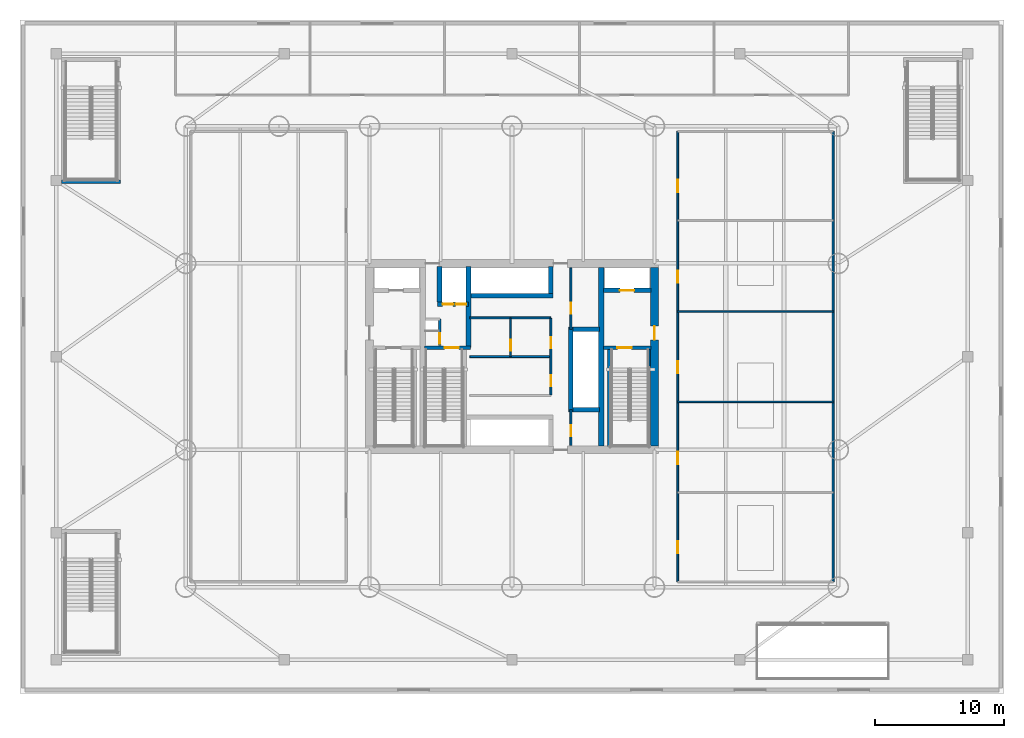
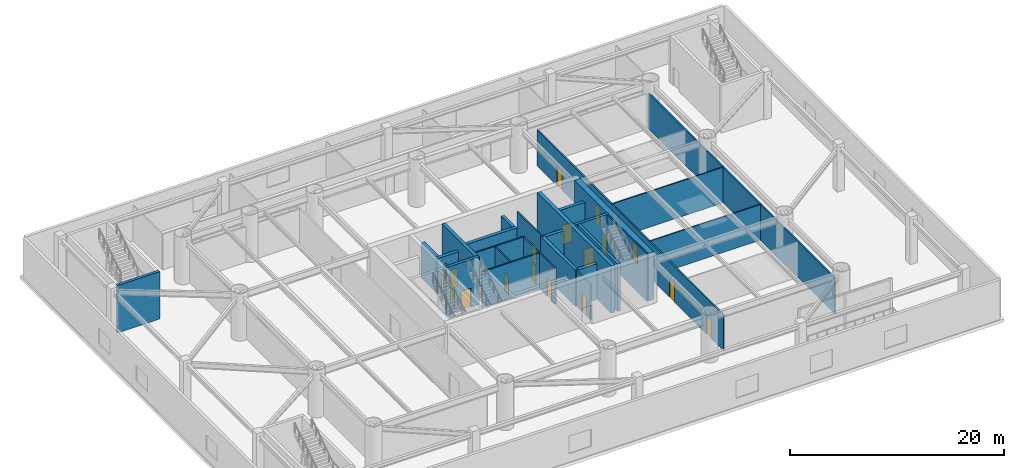
# One storey, part 7 of 16: 27 walls, 17 doors, 17 openings.
"""IFC4 building model written with IfcOpenShell, lengths in metres."""

from ifc_helpers import new_model, si_unit, direction, frame, frame_2d, origin, place, context, subcontext, project, spatial, rectangle, extrude, material, layer, layer_set, type_object, element, fill, save


model = new_model("IFC4")

# Units and contexts
model_context = context("Model", 3, precision=1e-05, world=origin(), true_north=direction((0.0, 1.0)))
body_context = subcontext(model_context, "Body", "Model", "MODEL_VIEW")
ifc_project = project(units=[si_unit("LENGTHUNIT", "METRE"), si_unit("AREAUNIT", "SQUARE_METRE"), si_unit("VOLUMEUNIT", "CUBIC_METRE"), si_unit("PLANEANGLEUNIT", "RADIAN"), si_unit("MASSUNIT", "GRAM", prefix="KILO")], contexts=[model_context])

# Site, building, storey
site_placement = place(None, origin())
site = spatial("IfcSite", under=ifc_project, at=site_placement, CompositionType="ELEMENT")
building_placement = place(site_placement, origin())
building = spatial("IfcBuilding", under=site, at=building_placement, Name="Bramvorn Convention Spire", CompositionType="ELEMENT")
storey_placement = place(building_placement, frame((0.0, 0.0, 30.0)))
storey = spatial("IfcBuildingStorey", under=building, at=storey_placement, Name="L05", CompositionType="ELEMENT", Elevation=30.0)

# Wall, opening, door
ifc_material_1 = material(Name="Concrete C60/70", Category="concrete")
ifc_layer_1 = layer(ifc_material_1, 0.60009765625)
ifc_layer_set_1 = layer_set([ifc_layer_1], Name="Concrete C60/70 - WL-CORE-600")
wall_type_1 = type_object("IfcWallType", Name="WL-CORE-600", PredefinedType="SHEAR", material=ifc_layer_set_1)
wall_1_placement = place(storey_placement, frame((49.0, 19.10009765625, 0.0), z_axis=(0.0, 0.0, 1.0), x_axis=(0.0, 1.0, 0.0)))
wall_1 = element("IfcWall", 1, at=wall_1_placement, inside=storey, type_object=wall_type_1, Name="L05 East RC core shear wall", PredefinedType="SHEAR", context=body_context, shape_type="SweptSolid", body=[
    extrude(rectangle(XDim=13.7998046875, YDim=0.60009765625, at=frame_2d((6.89990234375, 0.0))), origin(), (0.0, 0.0, 1.0), 5.39990234375),
])
opening_1_placement = place(wall_1_placement, frame((8.199951171875, 0.0, 0.0)))
opening_1 = element("IfcOpeningElement", 2, at=opening_1_placement, cuts=wall_1, Name="Opening DL-105", PredefinedType="OPENING", context=body_context, shape_type="SweptSolid", body=[
    extrude(rectangle(XDim=1.050048828125, YDim=2.14990234375, at=frame_2d((0.52490234375, 1.074951171875))), frame((0.0, 0.31005859375, 0.0), z_axis=(0.0, -1.0, 0.0), x_axis=(1.0, 0.0, 0.0)), (0.0, 0.0, 1.0), 0.6201171875),
])
ifc_material_2 = material(Name="Smoke-Sealed Fire Lobby Timber-Core Door", Category="wood")
door_type_1 = type_object("IfcDoorType", Name="DR-LOBBY-1050", OperationType="NOTDEFINED", PredefinedType="DOOR", material=ifc_material_2)
door_1_placement = place(opening_1_placement, origin())
door_1 = element("IfcDoor", 3, at=door_1_placement, inside=storey, type_object=door_type_1, Name="L05 East Firefighting Lobby corridor door", OperationType="SINGLE_SWING_LEFT", OverallHeight=2.14990234375, OverallWidth=1.050048828125, PredefinedType="DOOR", context=body_context, shape_type="SweptSolid", body=[
    extrude(rectangle(XDim=1.050048828125, YDim=2.14990234375, at=frame_2d((0.52490234375, 1.074951171875))), frame((0.0, 0.02490234375, 0.0), z_axis=(0.0, -1.0, 0.0), x_axis=(1.0, 0.0, 0.0)), (0.0, 0.0, 1.0), 0.050048828125),
])
fill(opening_1, door_1)

ifc_material_3 = material(Name="Concrete C50/60", Category="concrete")
ifc_layer_2 = layer(ifc_material_3, 0.35009765625)
ifc_layer_set_2 = layer_set([ifc_layer_2], Name="Concrete C50/60 - WL-CORE-INT-350")
wall_type_2 = type_object("IfcWallType", Name="WL-CORE-INT-350", PredefinedType="SHEAR", material=ifc_layer_set_2)
wall_2_placement = place(storey_placement, frame((45.080078125, 31.1201171875, 0.0), z_axis=(0.0, 0.0, 1.0), x_axis=(1.0, 0.0, 0.0)))
wall_2 = element("IfcWall", 4, at=wall_2_placement, inside=storey, type_object=wall_type_2, Name="L05 FE2 shaft front wall", PredefinedType="SHEAR", context=body_context, shape_type="SweptSolid", body=[
    extrude(rectangle(XDim=3.669921875, YDim=0.35009765625, at=frame_2d((1.8349609375, 0.0))), origin(), (0.0, 0.0, 1.0), 4.06005859375),
])
opening_2_placement = place(wall_2_placement, frame((1.25, 0.0, 0.0)))
opening_2 = element("IfcOpeningElement", 5, at=opening_2_placement, cuts=wall_2, Name="Opening LD-110", PredefinedType="OPENING", context=body_context, shape_type="SweptSolid", body=[
    extrude(rectangle(XDim=1.10009765625, YDim=2.14990234375, at=frame_2d((0.550048828125, 1.074951171875))), frame((0.0, 0.18505859375, 0.0), z_axis=(0.0, -1.0, 0.0), x_axis=(1.0, 0.0, 0.0)), (0.0, 0.0, 1.0), 0.3701171875),
])
ifc_material_4 = material(Name="Firefighting & Service Lift Sliding Landing Door", Category="steel")
door_type_2 = type_object("IfcDoorType", Name="DR-LIFT-LD-1100", OperationType="NOTDEFINED", PredefinedType="DOOR", material=ifc_material_4)
door_2_placement = place(opening_2_placement, origin())
door_2 = element("IfcDoor", 6, at=door_2_placement, inside=storey, type_object=door_type_2, Name="L05 Lift FE2 Sliding Landing Door", OperationType="SLIDING_TO_LEFT", OverallHeight=2.14990234375, OverallWidth=1.10009765625, PredefinedType="DOOR", context=body_context, shape_type="SweptSolid", body=[
    extrude(rectangle(XDim=1.10009765625, YDim=2.14990234375, at=frame_2d((0.550048828125, 1.074951171875))), frame((0.0, 0.02490234375, 0.0), z_axis=(0.0, -1.0, 0.0), x_axis=(1.0, 0.0, 0.0)), (0.0, 0.0, 1.0), 0.050048828125),
])
fill(opening_2, door_2)

# Wall
wall_3_placement = place(storey_placement, frame((34.639892578125, 26.68994140625, 0.0), z_axis=(0.0, 0.0, 1.0), x_axis=(0.0, 1.0, 0.0)))
element("IfcWall", 7, at=wall_3_placement, inside=storey, type_object=wall_type_2, Name="L05 SV east core shaft wall", PredefinedType="SHEAR", context=body_context, shape_type="SweptSolid", body=[
    extrude(rectangle(XDim=6.260009765625, YDim=0.35009765625, at=frame_2d((3.1298828125, 0.0))), origin(), (0.0, 0.0, 1.0), 5.39990234375),
])

# Wall, openings, doors
wall_4_placement = place(storey_placement, frame((32.22998046875, 30.050048828125, 0.0), z_axis=(0.0, 0.0, 1.0), x_axis=(1.0, 0.0, 0.0)))
wall_4 = element("IfcWall", 8, at=wall_4_placement, inside=storey, type_object=wall_type_2, Name="L05 SV1/SV2 shaft front wall", PredefinedType="SHEAR", context=body_context, shape_type="SweptSolid", body=[
    extrude(rectangle(XDim=2.409912109375, YDim=0.35009765625, at=frame_2d((1.205078125, 0.0))), origin(), (0.0, 0.0, 1.0), 4.06005859375),
])
opening_3_placement = place(wall_4_placement, frame((0.419921875, 0.0, 0.0)))
opening_3 = element("IfcOpeningElement", 9, at=opening_3_placement, cuts=wall_4, Name="Opening LD-080", PredefinedType="OPENING", context=body_context, shape_type="SweptSolid", body=[
    extrude(rectangle(XDim=0.800048828125, YDim=2.14990234375, at=frame_2d((0.39990234375, 1.074951171875))), frame((0.0, 0.18505859375, 0.0), z_axis=(0.0, -1.0, 0.0), x_axis=(1.0, 0.0, 0.0)), (0.0, 0.0, 1.0), 0.3701171875),
])
opening_4_placement = place(wall_4_placement, frame((1.419921875, 0.0, 0.0)))
opening_4 = element("IfcOpeningElement", 10, at=opening_4_placement, cuts=wall_4, Name="Opening LD-080", PredefinedType="OPENING", context=body_context, shape_type="SweptSolid", body=[
    extrude(rectangle(XDim=0.800048828125, YDim=2.14990234375, at=frame_2d((0.39990234375, 1.074951171875))), frame((0.0, 0.18505859375, 0.0), z_axis=(0.0, -1.0, 0.0), x_axis=(1.0, 0.0, 0.0)), (0.0, 0.0, 1.0), 0.3701171875),
])
ifc_material_5 = material(Name="Service Lift Bi-Parting Landing Door", Category="steel")
door_type_3 = type_object("IfcDoorType", Name="DR-LIFT-LD-800", OperationType="NOTDEFINED", PredefinedType="DOOR", material=ifc_material_5)
door_3_placement = place(opening_3_placement, origin())
door_3 = element("IfcDoor", 11, at=door_3_placement, inside=storey, type_object=door_type_3, Name="L05 Lift SV1 Sliding Landing Door", OperationType="SLIDING_TO_LEFT", OverallHeight=2.14990234375, OverallWidth=0.800048828125, PredefinedType="DOOR", context=body_context, shape_type="SweptSolid", body=[
    extrude(rectangle(XDim=0.800048828125, YDim=2.14990234375, at=frame_2d((0.39990234375, 1.074951171875))), frame((0.0, 0.02490234375, 0.0), z_axis=(0.0, -1.0, 0.0), x_axis=(1.0, 0.0, 0.0)), (0.0, 0.0, 1.0), 0.050048828125),
])
fill(opening_3, door_3)
door_4_placement = place(opening_4_placement, origin())
door_4 = element("IfcDoor", 12, at=door_4_placement, inside=storey, type_object=door_type_3, Name="L05 Lift SV2 Sliding Landing Door", OperationType="SLIDING_TO_LEFT", OverallHeight=2.14990234375, OverallWidth=0.800048828125, PredefinedType="DOOR", context=body_context, shape_type="SweptSolid", body=[
    extrude(rectangle(XDim=0.800048828125, YDim=2.14990234375, at=frame_2d((0.39990234375, 1.074951171875))), frame((0.0, 0.02490234375, 0.0), z_axis=(0.0, -1.0, 0.0), x_axis=(1.0, 0.0, 0.0)), (0.0, 0.0, 1.0), 0.050048828125),
])
fill(opening_4, door_4)

# Walls
wall_5_placement = place(storey_placement, frame((32.39990234375, 30.219970703125, 0.0), z_axis=(0.0, 0.0, 1.0), x_axis=(0.0, 1.0, 0.0)))
element("IfcWall", 13, at=wall_5_placement, inside=storey, type_object=wall_type_2, Name="L05 SV1 west hoistway wall", PredefinedType="SHEAR", context=body_context, shape_type="SweptSolid", body=[
    extrude(rectangle(XDim=2.72998046875, YDim=0.35009765625, at=frame_2d((1.364990234375, 0.0))), origin(), (0.0, 0.0, 1.0), 4.06005859375),
])
wall_6_placement = place(storey_placement, frame((42.550048828125, 21.72998046875, 0.0), z_axis=(0.0, 0.0, 1.0), x_axis=(0.0, 1.0, 0.0)))
element("IfcWall", 14, at=wall_6_placement, inside=storey, type_object=wall_type_2, Name="L05 High-rise lift bank west wall", PredefinedType="SHEAR", context=body_context, shape_type="SweptSolid", body=[
    extrude(rectangle(XDim=6.5400390625, YDim=0.35009765625, at=frame_2d((3.27001953125, 0.0))), origin(), (0.0, 0.0, 1.0), 4.06005859375),
])
for number, where, z_axis, x_axis, name in (
    (15, (42.719970703125, 21.89990234375, 0.0), (0.0, 0.0, 1.0), (1.0, 0.0, 0.0), "L05 High-rise lift bank south wall"),
    (16, (42.719970703125, 28.10009765625, 0.0), (0.0, 0.0, 1.0), (1.0, 0.0, 0.0), "L05 High-rise lift bank north wall"),
):
    element("IfcWall", number, at=place(storey_placement, frame(where, z_axis=z_axis, x_axis=x_axis)), inside=storey, type_object=wall_type_2, Name=name, PredefinedType="SHEAR", context=body_context, shape_type="SweptSolid", body=[
        extrude(rectangle(XDim=2.030029296875, YDim=0.35009765625, at=frame_2d((1.01513671875, 0.0))), origin(), (0.0, 0.0, 1.0), 4.06005859375),
    ])
wall_7_placement = place(storey_placement, frame((34.81005859375, 30.699951171875, 0.0), z_axis=(0.0, 0.0, 1.0), x_axis=(1.0, 0.0, 0.0)))
element("IfcWall", 17, at=wall_7_placement, inside=storey, type_object=wall_type_2, Name="L05 Low-rise bank south landing wall", PredefinedType="SHEAR", context=body_context, shape_type="SweptSolid", body=[
    extrude(rectangle(XDim=6.35986328125, YDim=0.35009765625, at=frame_2d((3.179931640625, 0.0))), origin(), (0.0, 0.0, 1.0), 4.06005859375),
])
wall_8_placement = place(storey_placement, frame((41.0, 30.8701171875, 0.0), z_axis=(0.0, 0.0, 1.0), x_axis=(0.0, 1.0, 0.0)))
element("IfcWall", 18, at=wall_8_placement, inside=storey, type_object=wall_type_2, Name="L05 Low-rise bank east cheek wall", PredefinedType="SHEAR", context=body_context, shape_type="SweptSolid", body=[
    extrude(rectangle(XDim=2.079833984375, YDim=0.35009765625, at=frame_2d((1.0400390625, 0.0))), origin(), (0.0, 0.0, 1.0), 4.06005859375),
])
ifc_layer_3 = layer(ifc_material_1, 0.39990234375)
ifc_layer_set_3 = layer_set([ifc_layer_3], Name="Concrete C60/70 - WL-CORE-INT-400")
wall_type_3 = type_object("IfcWallType", Name="WL-CORE-INT-400", PredefinedType="SHEAR", material=ifc_layer_set_3)
wall_9_placement = place(storey_placement, frame((44.89990234375, 19.10009765625, 0.0), z_axis=(0.0, 0.0, 1.0), x_axis=(0.0, 1.0, 0.0)))
element("IfcWall", 19, at=wall_9_placement, inside=storey, type_object=wall_type_3, Name="L05 East internal core shear web", PredefinedType="SHEAR", context=body_context, shape_type="SweptSolid", body=[
    extrude(rectangle(XDim=13.7998046875, YDim=0.39990234375, at=frame_2d((6.89990234375, 0.0))), origin(), (0.0, 0.0, 1.0), 5.39990234375),
])

# Wall, opening, door
ifc_material_6 = material(Name="Lightweight En-Suite & Wet-Wall Partition", Category="gypsum")
ifc_layer_4 = layer(ifc_material_6, 0.110107421875)
ifc_layer_set_4 = layer_set([ifc_layer_4], Name="Lightweight En-Suite & Wet-Wall Partition - WL-PART-110")
wall_type_4 = type_object("IfcWallType", Name="WL-PART-110", PredefinedType="PARTITIONING", material=ifc_layer_set_4)
wall_10_placement = place(storey_placement, frame((37.89990234375, 26.0, 0.0), z_axis=(0.0, 0.0, 1.0), x_axis=(0.0, 1.0, 0.0)))
wall_10 = element("IfcWall", 20, at=wall_10_placement, inside=storey, type_object=wall_type_4, Name="L05 Core restroom subwall", PredefinedType="PARTITIONING", context=body_context, shape_type="SweptSolid", body=[
    extrude(rectangle(XDim=2.949951171875, YDim=0.110107421875, at=frame_2d((1.47509765625, 0.0))), origin(), (0.0, 0.0, 1.0), 4.06005859375),
])
opening_5_placement = place(wall_10_placement, frame((0.449951171875, 0.0, 0.0)))
opening_5 = element("IfcOpeningElement", 21, at=opening_5_placement, cuts=wall_10, Name="Opening DC-085", PredefinedType="OPENING", context=body_context, shape_type="SweptSolid", body=[
    extrude(rectangle(XDim=0.85009765625, YDim=2.10009765625, at=frame_2d((0.425048828125, 1.050048828125))), frame((0.0, 0.06494140625, 0.0), z_axis=(0.0, -1.0, 0.0), x_axis=(1.0, 0.0, 0.0)), (0.0, 0.0, 1.0), 0.130126953125),
])
ifc_material_7 = material(Name="Fire-Rated Core Washroom & IDF Door", Category="wood")
door_type_4 = type_object("IfcDoorType", Name="DR-CORE-850", OperationType="NOTDEFINED", PredefinedType="DOOR", material=ifc_material_7)
door_5_placement = place(opening_5_placement, origin())
door_5 = element("IfcDoor", 22, at=door_5_placement, inside=storey, type_object=door_type_4, Name="L05 Core telecom store door", OperationType="SINGLE_SWING_LEFT", OverallHeight=2.10009765625, OverallWidth=0.85009765625, PredefinedType="DOOR", context=body_context, shape_type="SweptSolid", body=[
    extrude(rectangle(XDim=0.85009765625, YDim=2.10009765625, at=frame_2d((0.425048828125, 1.050048828125))), frame((0.0, 0.02490234375, 0.0), z_axis=(0.0, -1.0, 0.0), x_axis=(1.0, 0.0, 0.0)), (0.0, 0.0, 1.0), 0.050048828125),
])
fill(opening_5, door_5)

# Walls
for number, where, z_axis, x_axis, name in (
    (23, (50.800048828125, 22.5, 0.0), (0.0, 0.0, 1.0), (1.0, 0.0, 0.0), "L05 Seminar divider 2"),
    (24, (50.800048828125, 29.5, 0.0), (0.0, 0.0, 1.0), (1.0, 0.0, 0.0), "L05 Seminar divider 3"),
):
    element("IfcWall", number, at=place(storey_placement, frame(where, z_axis=z_axis, x_axis=x_axis)), inside=storey, type_object=wall_type_4, Name=name, PredefinedType="PARTITIONING", context=body_context, shape_type="SweptSolid", body=[
        extrude(rectangle(XDim=12.0, YDim=0.110107421875, at=frame_2d((6.0, 0.0))), origin(), (0.0, 0.0, 1.0), 4.06005859375),
    ])
ifc_material_8 = material(Name="Acoustic Metal-Stud Tenant/Corridor Partition", Category="gypsum")
ifc_layer_5 = layer(ifc_material_8, 0.14990234375)
ifc_layer_set_5 = layer_set([ifc_layer_5], Name="Acoustic Metal-Stud Tenant/Corridor Partition - WL-PART-150")
wall_type_5 = type_object("IfcWallType", Name="WL-PART-150", PredefinedType="PARTITIONING", material=ifc_layer_set_5)
wall_11_placement = place(storey_placement, frame((34.75, 29.0, 0.0), z_axis=(0.0, 0.0, 1.0), x_axis=(1.0, 0.0, 0.0)))
element("IfcWall", 25, at=wall_11_placement, inside=storey, type_object=wall_type_5, Name="L05 Low-rise lift vestibule south wall", PredefinedType="PARTITIONING", context=body_context, shape_type="SweptSolid", body=[
    extrude(rectangle(XDim=6.25, YDim=0.14990234375, at=frame_2d((3.125, 0.0))), origin(), (0.0, 0.0, 1.0), 4.06005859375),
])

# Wall, openings, doors
wall_12_placement = place(storey_placement, frame((41.0, 23.050048828125, 0.0), z_axis=(0.0, 0.0, 1.0), x_axis=(0.0, 1.0, 0.0)))
wall_12 = element("IfcWall", 26, at=wall_12_placement, inside=storey, type_object=wall_type_5, Name="L05 Core room east wall", PredefinedType="PARTITIONING", context=body_context, shape_type="SweptSolid", body=[
    extrude(rectangle(XDim=5.89990234375, YDim=0.14990234375, at=frame_2d((2.949951171875, 0.0))), origin(), (0.0, 0.0, 1.0), 4.06005859375),
])
opening_6_placement = place(wall_12_placement, frame((0.64990234375, 0.0, 0.0)))
opening_6 = element("IfcOpeningElement", 27, at=opening_6_placement, cuts=wall_12, Name="Opening DC-085", PredefinedType="OPENING", context=body_context, shape_type="SweptSolid", body=[
    extrude(rectangle(XDim=0.85009765625, YDim=2.10009765625, at=frame_2d((0.425048828125, 1.050048828125))), frame((0.0, 0.0849609375, 0.0), z_axis=(0.0, -1.0, 0.0), x_axis=(1.0, 0.0, 0.0)), (0.0, 0.0, 1.0), 0.169921875),
])
opening_7_placement = place(wall_12_placement, frame((3.60009765625, 0.0, 0.0)))
opening_7 = element("IfcOpeningElement", 28, at=opening_7_placement, cuts=wall_12, Name="Opening DC-085", PredefinedType="OPENING", context=body_context, shape_type="SweptSolid", body=[
    extrude(rectangle(XDim=0.85009765625, YDim=2.10009765625, at=frame_2d((0.425048828125, 1.050048828125))), frame((0.0, 0.0849609375, 0.0), z_axis=(0.0, -1.0, 0.0), x_axis=(1.0, 0.0, 0.0)), (0.0, 0.0, 1.0), 0.169921875),
])
door_6_placement = place(opening_6_placement, origin())
door_6 = element("IfcDoor", 29, at=door_6_placement, inside=storey, type_object=door_type_4, Name="L05 Core room 1 door", OperationType="SINGLE_SWING_LEFT", OverallHeight=2.10009765625, OverallWidth=0.85009765625, PredefinedType="DOOR", context=body_context, shape_type="SweptSolid", body=[
    extrude(rectangle(XDim=0.85009765625, YDim=2.10009765625, at=frame_2d((0.425048828125, 1.050048828125))), frame((0.0, 0.02490234375, 0.0), z_axis=(0.0, -1.0, 0.0), x_axis=(1.0, 0.0, 0.0)), (0.0, 0.0, 1.0), 0.050048828125),
])
fill(opening_6, door_6)
door_7_placement = place(opening_7_placement, origin())
door_7 = element("IfcDoor", 30, at=door_7_placement, inside=storey, type_object=door_type_4, Name="L05 Core room 2 door", OperationType="SINGLE_SWING_LEFT", OverallHeight=2.10009765625, OverallWidth=0.85009765625, PredefinedType="DOOR", context=body_context, shape_type="SweptSolid", body=[
    extrude(rectangle(XDim=0.85009765625, YDim=2.10009765625, at=frame_2d((0.425048828125, 1.050048828125))), frame((0.0, 0.02490234375, 0.0), z_axis=(0.0, -1.0, 0.0), x_axis=(1.0, 0.0, 0.0)), (0.0, 0.0, 1.0), 0.050048828125),
])
fill(opening_7, door_7)

# Wall
wall_13_placement = place(storey_placement, frame((34.75, 26.0, 0.0), z_axis=(0.0, 0.0, 1.0), x_axis=(1.0, 0.0, 0.0)))
element("IfcWall", 31, at=wall_13_placement, inside=storey, type_object=wall_type_5, Name="L05 Core room divider", PredefinedType="PARTITIONING", context=body_context, shape_type="SweptSolid", body=[
    extrude(rectangle(XDim=6.25, YDim=0.14990234375, at=frame_2d((3.125, 0.0))), origin(), (0.0, 0.0, 1.0), 4.06005859375),
])

# Wall, opening, door
wall_14_placement = place(storey_placement, frame((42.550048828125, 28.10009765625, 0.0), z_axis=(0.0, 0.0, 1.0), x_axis=(0.0, 1.0, 0.0)))
wall_14 = element("IfcWall", 32, at=wall_14_placement, inside=storey, type_object=wall_type_5, Name="L05 Core NE store wall", PredefinedType="PARTITIONING", context=body_context, shape_type="SweptSolid", body=[
    extrude(rectangle(XDim=4.75, YDim=0.14990234375, at=frame_2d((2.375, 0.0))), origin(), (0.0, 0.0, 1.0), 4.06005859375),
])
opening_8_placement = place(wall_14_placement, frame((1.199951171875, 0.0, 0.0)))
opening_8 = element("IfcOpeningElement", 33, at=opening_8_placement, cuts=wall_14, Name="Opening DC-085", PredefinedType="OPENING", context=body_context, shape_type="SweptSolid", body=[
    extrude(rectangle(XDim=0.85009765625, YDim=2.10009765625, at=frame_2d((0.425048828125, 1.050048828125))), frame((0.0, 0.0849609375, 0.0), z_axis=(0.0, -1.0, 0.0), x_axis=(1.0, 0.0, 0.0)), (0.0, 0.0, 1.0), 0.169921875),
])
door_8_placement = place(opening_8_placement, origin())
door_8 = element("IfcDoor", 34, at=door_8_placement, inside=storey, type_object=door_type_4, Name="L05 Core NE store door", OperationType="SINGLE_SWING_LEFT", OverallHeight=2.10009765625, OverallWidth=0.85009765625, PredefinedType="DOOR", context=body_context, shape_type="SweptSolid", body=[
    extrude(rectangle(XDim=0.85009765625, YDim=2.10009765625, at=frame_2d((0.425048828125, 1.050048828125))), frame((0.0, 0.02490234375, 0.0), z_axis=(0.0, -1.0, 0.0), x_axis=(1.0, 0.0, 0.0)), (0.0, 0.0, 1.0), 0.050048828125),
])
fill(opening_8, door_8)

wall_15_placement = place(storey_placement, frame((42.550048828125, 19.14990234375, 0.0), z_axis=(0.0, 0.0, 1.0), x_axis=(0.0, 1.0, 0.0)))
wall_15 = element("IfcWall", 35, at=wall_15_placement, inside=storey, type_object=wall_type_5, Name="L05 Core SE riser wall", PredefinedType="PARTITIONING", context=body_context, shape_type="SweptSolid", body=[
    extrude(rectangle(XDim=2.75, YDim=0.14990234375, at=frame_2d((1.375, 0.0))), origin(), (0.0, 0.0, 1.0), 4.06005859375),
])
opening_9_placement = place(wall_15_placement, frame((0.699951171875, 0.0, 0.0)))
opening_9 = element("IfcOpeningElement", 36, at=opening_9_placement, cuts=wall_15, Name="Opening DC-085", PredefinedType="OPENING", context=body_context, shape_type="SweptSolid", body=[
    extrude(rectangle(XDim=0.85009765625, YDim=2.10009765625, at=frame_2d((0.425048828125, 1.050048828125))), frame((0.0, 0.0849609375, 0.0), z_axis=(0.0, -1.0, 0.0), x_axis=(1.0, 0.0, 0.0)), (0.0, 0.0, 1.0), 0.169921875),
])
door_9_placement = place(opening_9_placement, origin())
door_9 = element("IfcDoor", 37, at=door_9_placement, inside=storey, type_object=door_type_4, Name="L05 Core SE riser door", OperationType="SINGLE_SWING_LEFT", OverallHeight=2.10009765625, OverallWidth=0.85009765625, PredefinedType="DOOR", context=body_context, shape_type="SweptSolid", body=[
    extrude(rectangle(XDim=0.85009765625, YDim=2.10009765625, at=frame_2d((0.425048828125, 1.050048828125))), frame((0.0, 0.02490234375, 0.0), z_axis=(0.0, -1.0, 0.0), x_axis=(1.0, 0.0, 0.0)), (0.0, 0.0, 1.0), 0.050048828125),
])
fill(opening_9, door_9)

# Wall, openings, doors
wall_16_placement = place(storey_placement, frame((50.800048828125, 8.60009765625, 0.0), z_axis=(0.0, 0.0, 1.0), x_axis=(0.0, 1.0, 0.0)))
wall_16 = element("IfcWall", 38, at=wall_16_placement, inside=storey, type_object=wall_type_5, Name="L05 East Seminar wing wall", PredefinedType="PARTITIONING", context=body_context, shape_type="SweptSolid", body=[
    extrude(rectangle(XDim=34.7998046875, YDim=0.14990234375, at=frame_2d((17.39990234375, 0.0))), origin(), (0.0, 0.0, 1.0), 4.06005859375),
])
opening_10_placement = place(wall_16_placement, frame((2.199951171875, 0.0, 0.0)))
opening_10 = element("IfcOpeningElement", 39, at=opening_10_placement, cuts=wall_16, Name="Opening DH-095", PredefinedType="OPENING", context=body_context, shape_type="SweptSolid", body=[
    extrude(rectangle(XDim=0.949951171875, YDim=2.14990234375, at=frame_2d((0.47509765625, 1.074951171875))), frame((0.0, 0.0849609375, 0.0), z_axis=(0.0, -1.0, 0.0), x_axis=(1.0, 0.0, 0.0)), (0.0, 0.0, 1.0), 0.169921875),
])
opening_11_placement = place(wall_16_placement, frame((9.10009765625, 0.0, 0.0)))
opening_11 = element("IfcOpeningElement", 40, at=opening_11_placement, cuts=wall_16, Name="Opening DH-095", PredefinedType="OPENING", context=body_context, shape_type="SweptSolid", body=[
    extrude(rectangle(XDim=0.949951171875, YDim=2.14990234375, at=frame_2d((0.47509765625, 1.074951171875))), frame((0.0, 0.0849609375, 0.0), z_axis=(0.0, -1.0, 0.0), x_axis=(1.0, 0.0, 0.0)), (0.0, 0.0, 1.0), 0.169921875),
])
opening_12_placement = place(wall_16_placement, frame((16.10009765625, 0.0, 0.0)))
opening_12 = element("IfcOpeningElement", 41, at=opening_12_placement, cuts=wall_16, Name="Opening DH-095", PredefinedType="OPENING", context=body_context, shape_type="SweptSolid", body=[
    extrude(rectangle(XDim=0.949951171875, YDim=2.14990234375, at=frame_2d((0.47509765625, 1.074951171875))), frame((0.0, 0.0849609375, 0.0), z_axis=(0.0, -1.0, 0.0), x_axis=(1.0, 0.0, 0.0)), (0.0, 0.0, 1.0), 0.169921875),
])
opening_13_placement = place(wall_16_placement, frame((23.10009765625, 0.0, 0.0)))
opening_13 = element("IfcOpeningElement", 42, at=opening_13_placement, cuts=wall_16, Name="Opening DH-095", PredefinedType="OPENING", context=body_context, shape_type="SweptSolid", body=[
    extrude(rectangle(XDim=0.949951171875, YDim=2.14990234375, at=frame_2d((0.47509765625, 1.074951171875))), frame((0.0, 0.0849609375, 0.0), z_axis=(0.0, -1.0, 0.0), x_axis=(1.0, 0.0, 0.0)), (0.0, 0.0, 1.0), 0.169921875),
])
opening_14_placement = place(wall_16_placement, frame((30.10009765625, 0.0, 0.0)))
opening_14 = element("IfcOpeningElement", 43, at=opening_14_placement, cuts=wall_16, Name="Opening DH-095", PredefinedType="OPENING", context=body_context, shape_type="SweptSolid", body=[
    extrude(rectangle(XDim=0.949951171875, YDim=2.14990234375, at=frame_2d((0.47509765625, 1.074951171875))), frame((0.0, 0.0849609375, 0.0), z_axis=(0.0, -1.0, 0.0), x_axis=(1.0, 0.0, 0.0)), (0.0, 0.0, 1.0), 0.169921875),
])
ifc_material_9 = material(Name="Solid-Core Acoustic Guestroom Entry Door", Category="wood")
door_type_5 = type_object("IfcDoorType", Name="DR-HOTEL-950", OperationType="NOTDEFINED", PredefinedType="DOOR", material=ifc_material_9)
door_10_placement = place(opening_10_placement, origin())
door_10 = element("IfcDoor", 44, at=door_10_placement, inside=storey, type_object=door_type_5, Name="L05 Congress Seminar Room 1 door", OperationType="SINGLE_SWING_LEFT", OverallHeight=2.14990234375, OverallWidth=0.949951171875, PredefinedType="DOOR", context=body_context, shape_type="SweptSolid", body=[
    extrude(rectangle(XDim=0.949951171875, YDim=2.14990234375, at=frame_2d((0.47509765625, 1.074951171875))), frame((0.0, 0.02490234375, 0.0), z_axis=(0.0, -1.0, 0.0), x_axis=(1.0, 0.0, 0.0)), (0.0, 0.0, 1.0), 0.050048828125),
])
fill(opening_10, door_10)
door_11_placement = place(opening_11_placement, origin())
door_11 = element("IfcDoor", 45, at=door_11_placement, inside=storey, type_object=door_type_5, Name="L05 Congress Seminar Room 2 door", OperationType="SINGLE_SWING_LEFT", OverallHeight=2.14990234375, OverallWidth=0.949951171875, PredefinedType="DOOR", context=body_context, shape_type="SweptSolid", body=[
    extrude(rectangle(XDim=0.949951171875, YDim=2.14990234375, at=frame_2d((0.47509765625, 1.074951171875))), frame((0.0, 0.02490234375, 0.0), z_axis=(0.0, -1.0, 0.0), x_axis=(1.0, 0.0, 0.0)), (0.0, 0.0, 1.0), 0.050048828125),
])
fill(opening_11, door_11)
door_12_placement = place(opening_12_placement, origin())
door_12 = element("IfcDoor", 46, at=door_12_placement, inside=storey, type_object=door_type_5, Name="L05 Congress Seminar Room 3 door", OperationType="SINGLE_SWING_LEFT", OverallHeight=2.14990234375, OverallWidth=0.949951171875, PredefinedType="DOOR", context=body_context, shape_type="SweptSolid", body=[
    extrude(rectangle(XDim=0.949951171875, YDim=2.14990234375, at=frame_2d((0.47509765625, 1.074951171875))), frame((0.0, 0.02490234375, 0.0), z_axis=(0.0, -1.0, 0.0), x_axis=(1.0, 0.0, 0.0)), (0.0, 0.0, 1.0), 0.050048828125),
])
fill(opening_12, door_12)
door_13_placement = place(opening_13_placement, origin())
door_13 = element("IfcDoor", 47, at=door_13_placement, inside=storey, type_object=door_type_5, Name="L05 Congress Seminar Room 4 door", OperationType="SINGLE_SWING_LEFT", OverallHeight=2.14990234375, OverallWidth=0.949951171875, PredefinedType="DOOR", context=body_context, shape_type="SweptSolid", body=[
    extrude(rectangle(XDim=0.949951171875, YDim=2.14990234375, at=frame_2d((0.47509765625, 1.074951171875))), frame((0.0, 0.02490234375, 0.0), z_axis=(0.0, -1.0, 0.0), x_axis=(1.0, 0.0, 0.0)), (0.0, 0.0, 1.0), 0.050048828125),
])
fill(opening_13, door_13)
door_14_placement = place(opening_14_placement, origin())
door_14 = element("IfcDoor", 48, at=door_14_placement, inside=storey, type_object=door_type_5, Name="L05 Congress Seminar Room 5 door", OperationType="SINGLE_SWING_LEFT", OverallHeight=2.14990234375, OverallWidth=0.949951171875, PredefinedType="DOOR", context=body_context, shape_type="SweptSolid", body=[
    extrude(rectangle(XDim=0.949951171875, YDim=2.14990234375, at=frame_2d((0.47509765625, 1.074951171875))), frame((0.0, 0.02490234375, 0.0), z_axis=(0.0, -1.0, 0.0), x_axis=(1.0, 0.0, 0.0)), (0.0, 0.0, 1.0), 0.050048828125),
])
fill(opening_14, door_14)

# Wall
wall_17_placement = place(storey_placement, frame((62.800048828125, 8.60009765625, 0.0), z_axis=(0.0, 0.0, 1.0), x_axis=(0.0, 1.0, 0.0)))
element("IfcWall", 49, at=wall_17_placement, inside=storey, type_object=wall_type_5, Name="L05 East Seminar outer wall", PredefinedType="PARTITIONING", context=body_context, shape_type="SweptSolid", body=[
    extrude(rectangle(XDim=34.7998046875, YDim=0.14990234375, at=frame_2d((17.39990234375, 0.0))), origin(), (0.0, 0.0, 1.0), 4.06005859375),
])

# Wall, opening, door
ifc_material_10 = material(Name="Gypsum Shaftwall & Rockwool Core Partition", Category="gypsum")
ifc_layer_6 = layer(ifc_material_10, 0.199951171875)
ifc_layer_set_6 = layer_set([ifc_layer_6], Name="Gypsum Shaftwall & Rockwool Core Partition - WL-PART-200-FR")
wall_type_6 = type_object("IfcWallType", Name="WL-PART-200-FR", PredefinedType="PARTITIONING", material=ifc_layer_set_6)
wall_18_placement = place(storey_placement, frame((32.419921875, 26.860107421875, 0.0), z_axis=(0.0, 0.0, 1.0), x_axis=(0.0, 1.0, 0.0)))
wall_18 = element("IfcWall", 50, at=wall_18_placement, inside=storey, type_object=wall_type_6, Name="L05 Telecom riser east wall", PredefinedType="PARTITIONING", context=body_context, shape_type="SweptSolid", body=[
    extrude(rectangle(XDim=2.039794921875, YDim=0.199951171875, at=frame_2d((1.02001953125, 0.0))), origin(), (0.0, 0.0, 1.0), 4.06005859375),
])
opening_15_placement = place(wall_18_placement, frame((0.139892578125, 0.0, 0.0)))
opening_15 = element("IfcOpeningElement", 51, at=opening_15_placement, cuts=wall_18, Name="Opening DR-080", PredefinedType="OPENING", context=body_context, shape_type="SweptSolid", body=[
    extrude(rectangle(XDim=0.800048828125, YDim=2.050048828125, at=frame_2d((0.39990234375, 1.02490234375))), frame((0.0, 0.10986328125, 0.0), z_axis=(0.0, -1.0, 0.0), x_axis=(1.0, 0.0, 0.0)), (0.0, 0.0, 1.0), 0.219970703125),
])
ifc_material_11 = material(Name="Flush Steel Riser Access Door", Category="steel")
door_type_6 = type_object("IfcDoorType", Name="DR-RISER-800", OperationType="NOTDEFINED", PredefinedType="DOOR", material=ifc_material_11)
door_15_placement = place(opening_15_placement, origin())
door_15 = element("IfcDoor", 52, at=door_15_placement, inside=storey, type_object=door_type_6, Name="L05 Telecom riser access door", OperationType="SINGLE_SWING_RIGHT", OverallHeight=2.050048828125, OverallWidth=0.800048828125, PredefinedType="DOOR", context=body_context, shape_type="SweptSolid", body=[
    extrude(rectangle(XDim=0.800048828125, YDim=2.050048828125, at=frame_2d((0.39990234375, 1.02490234375))), frame((0.0, 0.02490234375, 0.0), z_axis=(0.0, -1.0, 0.0), x_axis=(1.0, 0.0, 0.0)), (0.0, 0.0, 1.0), 0.050048828125),
])
fill(opening_15, door_15)

ifc_layer_7 = layer(ifc_material_3, 0.300048828125)
ifc_layer_set_7 = layer_set([ifc_layer_7], Name="Concrete C50/60 - WL-POD-STAIR-300")
wall_type_7 = type_object("IfcWallType", Name="WL-POD-STAIR-300", PredefinedType="SHEAR", material=ifc_layer_set_7)
wall_19_placement = place(storey_placement, frame((45.080078125, 26.68994140625, 0.0), z_axis=(0.0, 0.0, 1.0), x_axis=(1.0, 0.0, 0.0)))
wall_19 = element("IfcWall", 53, at=wall_19_placement, inside=storey, type_object=wall_type_7, Name="L05 ST2 north fire wall", PredefinedType="SHEAR", context=body_context, shape_type="SweptSolid", body=[
    extrude(rectangle(XDim=3.669921875, YDim=0.300048828125, at=frame_2d((1.8349609375, 0.0))), origin(), (0.0, 0.0, 1.0), 5.39990234375),
])
opening_16_placement = place(wall_19_placement, frame((1.050048828125, 0.0, 0.0)))
opening_16 = element("IfcOpeningElement", 54, at=opening_16_placement, cuts=wall_19, Name="Opening DS-110", PredefinedType="OPENING", context=body_context, shape_type="SweptSolid", body=[
    extrude(rectangle(XDim=1.10009765625, YDim=2.14990234375, at=frame_2d((0.550048828125, 1.074951171875))), frame((0.0, 0.159912109375, 0.0), z_axis=(0.0, -1.0, 0.0), x_axis=(1.0, 0.0, 0.0)), (0.0, 0.0, 1.0), 0.320068359375),
])
ifc_material_12 = material(Name="Fire-Rated Hollow Steel Stairwell Door", Category="steel")
door_type_7 = type_object("IfcDoorType", Name="DR-STAIR-1100", OperationType="NOTDEFINED", PredefinedType="DOOR", material=ifc_material_12)
door_16_placement = place(opening_16_placement, origin())
door_16 = element("IfcDoor", 55, at=door_16_placement, inside=storey, type_object=door_type_7, Name="L05 Stair ST2 fire door", OperationType="SINGLE_SWING_RIGHT", OverallHeight=2.14990234375, OverallWidth=1.10009765625, PredefinedType="DOOR", context=body_context, shape_type="SweptSolid", body=[
    extrude(rectangle(XDim=1.10009765625, YDim=2.14990234375, at=frame_2d((0.550048828125, 1.074951171875))), frame((0.0, 0.02490234375, 0.0), z_axis=(0.0, -1.0, 0.0), x_axis=(1.0, 0.0, 0.0)), (0.0, 0.0, 1.0), 0.050048828125),
])
fill(opening_16, door_16)

# Wall
wall_20_placement = place(storey_placement, frame((45.510009765625, 19.050048828125, 0.0), z_axis=(0.0, 0.0, 1.0), x_axis=(0.0, 1.0, 0.0)))
element("IfcWall", 56, at=wall_20_placement, inside=storey, type_object=wall_type_7, Name="L05 ST2 west bearing wall", PredefinedType="SHEAR", context=body_context, shape_type="SweptSolid", body=[
    extrude(rectangle(XDim=7.5, YDim=0.300048828125, at=frame_2d((3.75, 0.0))), origin(), (0.0, 0.0, 1.0), 5.39990234375),
])

# Wall, opening, door
wall_21_placement = place(storey_placement, frame((31.25, 26.68994140625, 0.0), z_axis=(0.0, 0.0, 1.0), x_axis=(1.0, 0.0, 0.0)))
wall_21 = element("IfcWall", 57, at=wall_21_placement, inside=storey, type_object=wall_type_7, Name="L05 ST3 north lobby wall", PredefinedType="SHEAR", context=body_context, shape_type="SweptSolid", body=[
    extrude(rectangle(XDim=3.56005859375, YDim=0.300048828125, at=frame_2d((1.780029296875, 0.0))), origin(), (0.0, 0.0, 1.0), 5.39990234375),
])
opening_17_placement = place(wall_21_placement, frame((1.550048828125, 0.0, 0.0)))
opening_17 = element("IfcOpeningElement", 58, at=opening_17_placement, cuts=wall_21, Name="Opening DS-110", PredefinedType="OPENING", context=body_context, shape_type="SweptSolid", body=[
    extrude(rectangle(XDim=1.10009765625, YDim=2.14990234375, at=frame_2d((0.550048828125, 1.074951171875))), frame((0.0, 0.159912109375, 0.0), z_axis=(0.0, -1.0, 0.0), x_axis=(1.0, 0.0, 0.0)), (0.0, 0.0, 1.0), 0.320068359375),
])
door_17_placement = place(opening_17_placement, origin())
door_17 = element("IfcDoor", 59, at=door_17_placement, inside=storey, type_object=door_type_7, Name="L05 Stair ST3 fire door", OperationType="SINGLE_SWING_LEFT", OverallHeight=2.14990234375, OverallWidth=1.10009765625, PredefinedType="DOOR", context=body_context, shape_type="SweptSolid", body=[
    extrude(rectangle(XDim=1.10009765625, YDim=2.14990234375, at=frame_2d((0.550048828125, 1.074951171875))), frame((0.0, 0.02490234375, 0.0), z_axis=(0.0, -1.0, 0.0), x_axis=(1.0, 0.0, 0.0)), (0.0, 0.0, 1.0), 0.050048828125),
])
fill(opening_17, door_17)

# Walls
wall_22_placement = place(storey_placement, frame((3.2099609375, 39.510009765625, 0.0), z_axis=(0.0, 0.0, 1.0), x_axis=(1.0, 0.0, 0.0)))
element("IfcWall", 60, at=wall_22_placement, inside=storey, type_object=wall_type_7, Name="L05 ST6 south shaft wall", PredefinedType="SHEAR", context=body_context, shape_type="SweptSolid", body=[
    extrude(rectangle(XDim=4.56005859375, YDim=0.300048828125, at=frame_2d((2.280029296875, 0.0))), origin(), (0.0, 0.0, 1.0), 5.39990234375),
])
ifc_layer_8 = layer(ifc_material_3, 0.1201171875)
ifc_layer_set_8 = layer_set([ifc_layer_8], Name="Concrete C50/60 - WL-STAIR-RC-120")
wall_type_8 = type_object("IfcWallType", Name="WL-STAIR-RC-120", PredefinedType="SHEAR", material=ifc_layer_set_8)
wall_23_placement = place(storey_placement, frame((48.60498046875, 19.10009765625, 0.0), z_axis=(0.0, 0.0, 1.0), x_axis=(0.0, 1.0, 0.0)))
element("IfcWall", 61, at=wall_23_placement, inside=storey, type_object=wall_type_8, Name="L05 ST2 east bearing shear wall", PredefinedType="SHEAR", context=body_context, shape_type="SweptSolid", body=[
    extrude(rectangle(XDim=7.449951171875, YDim=0.1201171875, at=frame_2d((3.72509765625, 0.0))), origin(), (0.0, 0.0, 1.0), 5.39990234375),
])

save(model, "model.ifc")
